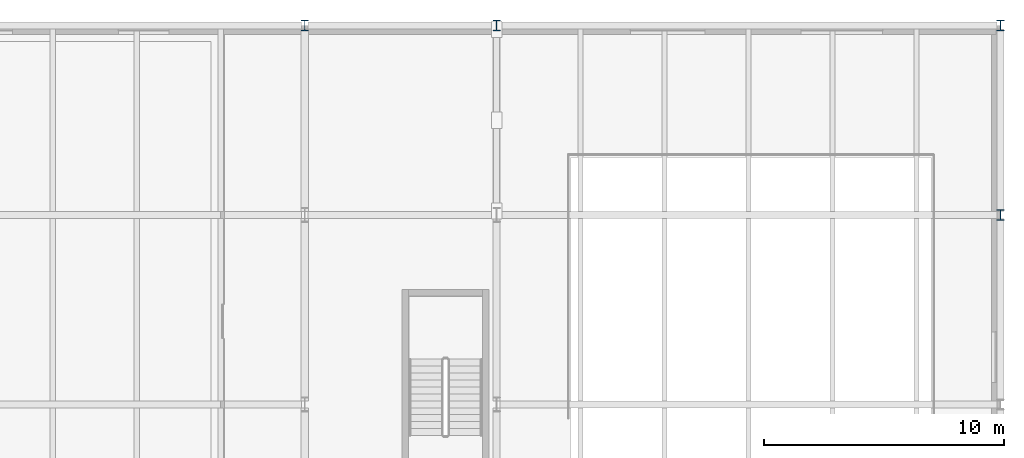
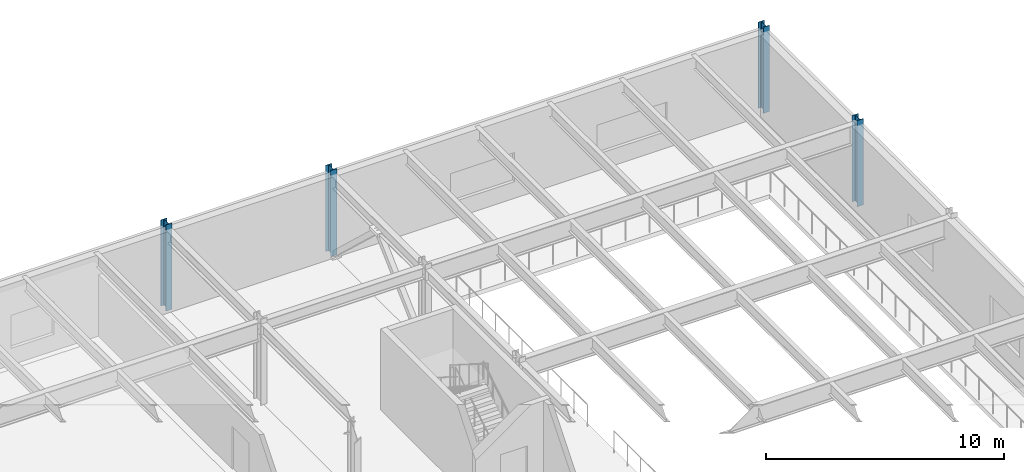
# One storey, part 17 of 103: 4 columns.
"""IFC4 building model written with IfcOpenShell, lengths in metres."""

from ifc_helpers import new_model, si_unit, direction, frame, origin, origin_2d, place, context, subcontext, project, spatial, i_section, extrude, material, material_profile, profile_set, type_object, element, save


model = new_model("IFC4")

# Units and contexts
model_context = context("Model", 3, precision=1e-05, world=origin(), true_north=direction((0.0, 1.0)))
body_context = subcontext(model_context, "Body", "Model", "MODEL_VIEW")
ifc_project = project(units=[si_unit("LENGTHUNIT", "METRE"), si_unit("AREAUNIT", "SQUARE_METRE"), si_unit("VOLUMEUNIT", "CUBIC_METRE"), si_unit("PLANEANGLEUNIT", "RADIAN"), si_unit("MASSUNIT", "GRAM", prefix="KILO")], contexts=[model_context])

# Site, building, storey
site_placement = place(None, origin())
site = spatial("IfcSite", under=ifc_project, at=site_placement, CompositionType="ELEMENT")
building_placement = place(site_placement, origin())
building = spatial("IfcBuilding", under=site, at=building_placement, Name="Varnklinge Art Gallery", CompositionType="ELEMENT")
storey_placement = place(building_placement, frame((0.0, 0.0, 5.10009765625)))
storey = spatial("IfcBuildingStorey", under=building, at=storey_placement, Name="L01", CompositionType="ELEMENT", Elevation=5.10009765625)

# Columns
ifc_material = material(Name="Steel S355", Category="steel")
ifc_material_profile = material_profile(ifc_material, i_section(OverallWidth=0.300048828125, OverallDepth=0.449951171875, WebThickness=0.013916015625, FlangeThickness=0.02587890625, FilletRadius=0.027099609375, at=origin_2d()), Name="HEB 450")
ifc_profile_set = profile_set([ifc_material_profile], Name="Steel S355")
column_type = type_object("IfcColumnType", Name="COL-E2", PredefinedType="COLUMN", material=ifc_profile_set)
for number, where, z_axis, x_axis, name in (
    (1, (135.39990234375, 113.5, 0.0), (0.0, 0.0, 1.0), (1.0, 0.0, 0.0), "L01 Column V1C-2-8"),
    (2, (143.39990234375, 113.5, 0.0), (0.0, 0.0, 1.0), (1.0, 0.0, 0.0), "L01 Column V1C-3-8"),
    (3, (164.39990234375, 105.60009765625, 0.0), (0.0, 0.0, 1.0), (1.0, 0.0, 0.0), "L01 Column V1C-4-7"),
    (4, (164.39990234375, 113.5, 0.0), (0.0, 0.0, 1.0), (1.0, 0.0, 0.0), "L01 Column V1C-4-8"),
):
    element("IfcColumn", number, at=place(storey_placement, frame(where, z_axis=z_axis, x_axis=x_axis)), inside=storey, type_object=column_type, Name=name, PredefinedType="COLUMN", context=body_context, shape_type="SweptSolid", body=[
        extrude(i_section(OverallWidth=0.300048828125, OverallDepth=0.449951171875, WebThickness=0.013916015625, FlangeThickness=0.02587890625, FilletRadius=0.027099609375, at=origin_2d()), origin(), (0.0, 0.0, 1.0), 4.419921875),
    ])

save(model, "model.ifc")
